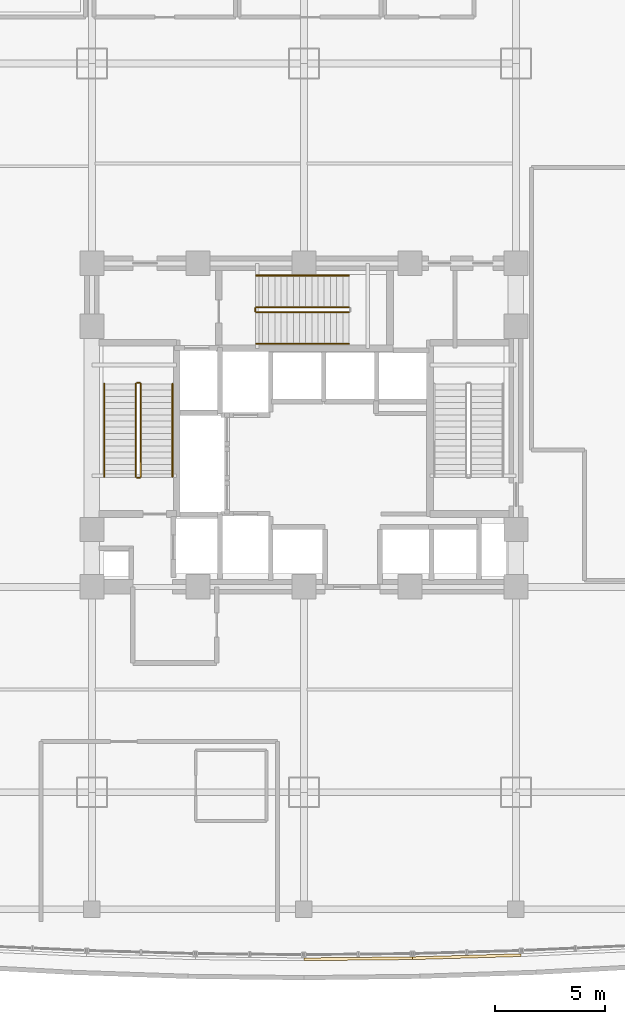
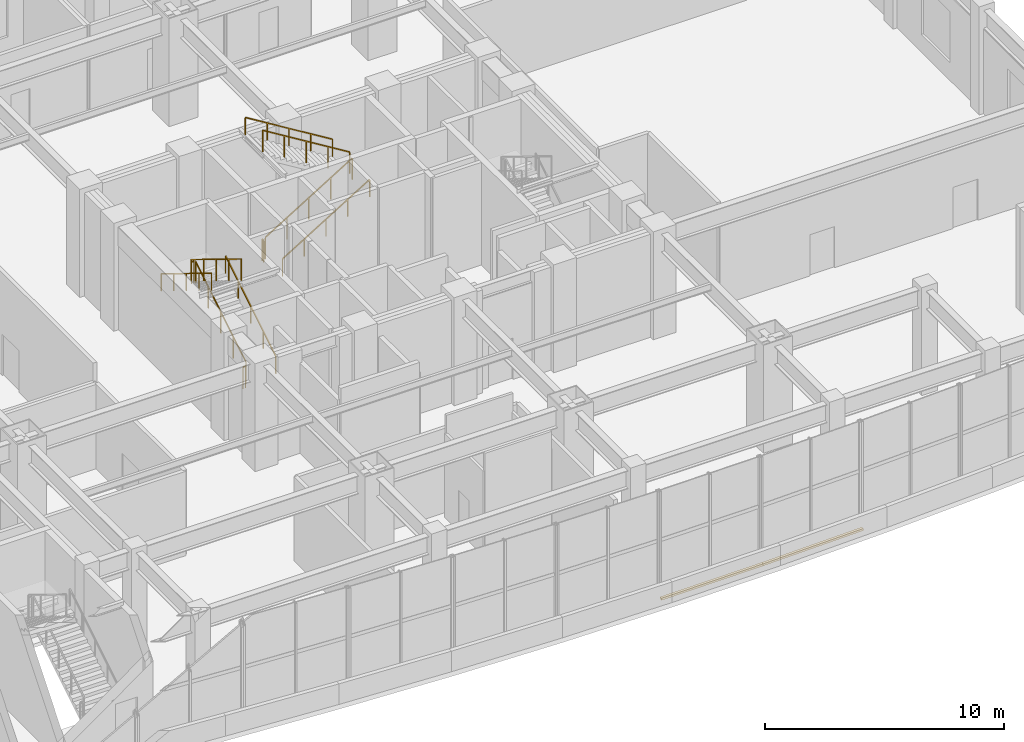
# One storey, part 18 of 24: 11 railings, 2 coverings.
"""IFC4 building model written with IfcOpenShell, lengths in metres."""

from ifc_helpers import new_model, si_unit, direction, frame, origin, origin_2d, place, context, subcontext, project, spatial, polyline, rectangle, outline, extrude, material, layer, layer_set, type_object, element, save


model = new_model("IFC4")

# Units and contexts
model_context = context("Model", 3, precision=1e-05, world=origin(), true_north=direction((0.0, 1.0)))
body_context = subcontext(model_context, "Body", "Model", "MODEL_VIEW")
ifc_project = project(units=[si_unit("LENGTHUNIT", "METRE"), si_unit("AREAUNIT", "SQUARE_METRE"), si_unit("VOLUMEUNIT", "CUBIC_METRE"), si_unit("PLANEANGLEUNIT", "RADIAN"), si_unit("MASSUNIT", "GRAM", prefix="KILO")], contexts=[model_context])

# Site, building, storey
site_placement = place(None, origin())
site = spatial("IfcSite", under=ifc_project, at=site_placement, CompositionType="ELEMENT")
building_placement = place(site_placement, origin())
building = spatial("IfcBuilding", under=site, at=building_placement, Name="Vantalir Tower", CompositionType="ELEMENT")
storey_placement = place(building_placement, frame((0.0, 0.0, 16.0)))
storey = spatial("IfcBuildingStorey", under=building, at=storey_placement, Name="L03", CompositionType="ELEMENT", Elevation=16.0)

# Coverings
ifc_material_1 = material(Name="Anodised champagne aluminium sill fascia", Category="aluminium")
ifc_layer = layer(ifc_material_1, 0.125)
ifc_layer_set = layer_set([ifc_layer], Name="Anodised champagne aluminium sill fascia")
covering_type = type_object("IfcCoveringType", Name="COV-SLAB-FASCIA-125", PredefinedType="CLADDING", material=ifc_layer_set)
covering_1_placement = place(storey_placement, frame((0.0, 0.0, -0.179931640625)))
element("IfcCovering", 1, at=covering_1_placement, inside=storey, type_object=covering_type, Name="L03 South Prow Slab-Edge Fascia 07", PredefinedType="CLADDING", context=body_context, shape_type="SweptSolid", body=[
    extrude(outline(polyline([(31.5, 1.0), (31.5009765625, 0.875), (36.41796875, 0.923095703125), (36.4169921875, 1.048095703125), (31.5, 1.0)])), origin(), (0.0, 0.0, 1.0), 0.10498046875),
])
covering_2_placement = place(storey_placement, frame((0.0, 0.0, -0.179931640625)))
element("IfcCovering", 2, at=covering_2_placement, inside=storey, type_object=covering_type, Name="L03 South Prow Slab-Edge Fascia 08", PredefinedType="CLADDING", context=body_context, shape_type="SweptSolid", body=[
    extrude(outline(polyline([(36.4169921875, 1.048095703125), (36.4208984375, 0.923095703125), (41.3369140625, 1.06298828125), (41.3330078125, 1.18798828125), (36.4169921875, 1.048095703125)])), origin(), (0.0, 0.0, 1.0), 0.10498046875),
])

# Railings
ifc_material_2 = material(Name="Anodised aluminium and stainless steel guard", Category="steel")
railing_type_1 = type_object("IfcRailingType", Name="RAL-GUARD-1120", PredefinedType="GUARDRAIL", material=ifc_material_2)
railing_1_placement = place(storey_placement, frame((24.110107421875, 22.7900390625, 0.171875)))
element("IfcRailing", 3, at=railing_1_placement, inside=storey, type_object=railing_type_1, Name="L03 ST1 stair guard 1", PredefinedType="GUARDRAIL", context=body_context, shape_type="SweptSolid", body=[
    extrude(rectangle(XDim=0.048095703125, YDim=0.048095703125, at=origin_2d()), frame((0.0, 0.0, 1.09619140625), z_axis=(0.0, 0.852242915053, 0.523146264196), x_axis=(-1.0, 0.0, 0.0)), (0.0, 0.0, 1.0), 4.92822265625),
    extrude(rectangle(XDim=0.0419921875, YDim=0.0419921875, at=origin_2d()), origin(), (0.0, 0.0, 1.0), 1.072021484375),
    extrude(rectangle(XDim=0.0419921875, YDim=0.0419921875, at=origin_2d()), frame((0.0, 1.050048828125, 0.64453125)), (0.0, 0.0, 1.0), 1.072021484375),
    extrude(rectangle(XDim=0.0419921875, YDim=0.0419921875, at=origin_2d()), frame((0.0, 2.10009765625, 1.2890625)), (0.0, 0.0, 1.0), 1.072021484375),
    extrude(rectangle(XDim=0.0419921875, YDim=0.0419921875, at=origin_2d()), frame((0.0, 3.14990234375, 1.93359375)), (0.0, 0.0, 1.0), 1.072021484375),
    extrude(rectangle(XDim=0.0419921875, YDim=0.0419921875, at=origin_2d()), frame((0.0, 4.199951171875, 2.578125)), (0.0, 0.0, 1.0), 1.072021484375),
])
railing_2_placement = place(storey_placement, frame((24.06005859375, 27.0400390625, 2.75)))
element("IfcRailing", 4, at=railing_2_placement, inside=storey, type_object=railing_type_1, Name="L03 ST1 stair guard 2", PredefinedType="GUARDRAIL", context=body_context, shape_type="SweptSolid", body=[
    extrude(rectangle(XDim=0.048095703125, YDim=0.048095703125, at=origin_2d()), frame((0.0, 0.0, 1.09619140625), z_axis=(-1.0, 0.0, 0.0), x_axis=(0.0, -1.0, 0.0)), (0.0, 0.0, 1.0), 0.1201171875),
    extrude(rectangle(XDim=0.0419921875, YDim=0.0419921875, at=origin_2d()), origin(), (0.0, 0.0, 1.0), 1.072021484375),
    extrude(rectangle(XDim=0.0419921875, YDim=0.0419921875, at=origin_2d()), frame((-0.1201171875, 0.0, 0.0)), (0.0, 0.0, 1.0), 1.072021484375),
])
railing_3_placement = place(storey_placement, frame((23.889892578125, 26.989990234375, 2.921875)))
element("IfcRailing", 5, at=railing_3_placement, inside=storey, type_object=railing_type_1, Name="L03 ST1 stair guard 3", PredefinedType="GUARDRAIL", context=body_context, shape_type="SweptSolid", body=[
    extrude(rectangle(XDim=0.048095703125, YDim=0.048095703125, at=origin_2d()), frame((0.0, 0.0, 1.09619140625), z_axis=(0.0, -0.852242915053, 0.523146264196), x_axis=(1.0, 0.0, 0.0)), (0.0, 0.0, 1.0), 4.92822265625),
    extrude(rectangle(XDim=0.0419921875, YDim=0.0419921875, at=origin_2d()), origin(), (0.0, 0.0, 1.0), 1.072021484375),
    extrude(rectangle(XDim=0.0419921875, YDim=0.0419921875, at=origin_2d()), frame((0.0, -1.050048828125, 0.64453125)), (0.0, 0.0, 1.0), 1.072021484375),
    extrude(rectangle(XDim=0.0419921875, YDim=0.0419921875, at=origin_2d()), frame((0.0, -2.10009765625, 1.2890625)), (0.0, 0.0, 1.0), 1.072021484375),
    extrude(rectangle(XDim=0.0419921875, YDim=0.0419921875, at=origin_2d()), frame((0.0, -3.14990234375, 1.93359375)), (0.0, 0.0, 1.0), 1.072021484375),
    extrude(rectangle(XDim=0.0419921875, YDim=0.0419921875, at=origin_2d()), frame((0.0, -4.199951171875, 2.578125)), (0.0, 0.0, 1.0), 1.072021484375),
])
railing_4_placement = place(storey_placement, frame((24.06005859375, 22.739990234375, 0.0)))
element("IfcRailing", 6, at=railing_4_placement, inside=storey, type_object=railing_type_1, Name="L03 ST1 stair guard 4", PredefinedType="GUARDRAIL", context=body_context, shape_type="SweptSolid", body=[
    extrude(rectangle(XDim=0.048095703125, YDim=0.048095703125, at=origin_2d()), frame((0.0, 0.0, 1.09619140625), z_axis=(-1.0, 0.0, 0.0), x_axis=(0.0, -1.0, 0.0)), (0.0, 0.0, 1.0), 0.1201171875),
    extrude(rectangle(XDim=0.0419921875, YDim=0.0419921875, at=origin_2d()), origin(), (0.0, 0.0, 1.0), 1.072021484375),
    extrude(rectangle(XDim=0.0419921875, YDim=0.0419921875, at=origin_2d()), frame((-0.1201171875, 0.0, 0.0)), (0.0, 0.0, 1.0), 1.072021484375),
])
railing_5_placement = place(storey_placement, frame((29.340087890625, 30.239990234375, 0.171875)))
element("IfcRailing", 7, at=railing_5_placement, inside=storey, type_object=railing_type_1, Name="L03 ST3 stair guard 1", PredefinedType="GUARDRAIL", context=body_context, shape_type="SweptSolid", body=[
    extrude(rectangle(XDim=0.048095703125, YDim=0.048095703125, at=origin_2d()), frame((0.0, 0.0, 1.09619140625), z_axis=(0.852242915053, 0.0, 0.523146264196), x_axis=(0.0, 1.0, 0.0)), (0.0, 0.0, 1.0), 4.92822265625),
    extrude(rectangle(XDim=0.0419921875, YDim=0.0419921875, at=origin_2d()), origin(), (0.0, 0.0, 1.0), 1.072021484375),
    extrude(rectangle(XDim=0.0419921875, YDim=0.0419921875, at=origin_2d()), frame((1.050048828125, 0.0, 0.64453125)), (0.0, 0.0, 1.0), 1.072021484375),
    extrude(rectangle(XDim=0.0419921875, YDim=0.0419921875, at=origin_2d()), frame((2.10009765625, 0.0, 1.2890625)), (0.0, 0.0, 1.0), 1.072021484375),
    extrude(rectangle(XDim=0.0419921875, YDim=0.0419921875, at=origin_2d()), frame((3.14990234375, 0.0, 1.93359375)), (0.0, 0.0, 1.0), 1.072021484375),
    extrude(rectangle(XDim=0.0419921875, YDim=0.0419921875, at=origin_2d()), frame((4.199951171875, 0.0, 2.578125)), (0.0, 0.0, 1.0), 1.072021484375),
])
railing_6_placement = place(storey_placement, frame((33.5400390625, 30.4599609375, 2.921875)))
element("IfcRailing", 8, at=railing_6_placement, inside=storey, type_object=railing_type_1, Name="L03 ST3 stair guard 3", PredefinedType="GUARDRAIL", context=body_context, shape_type="SweptSolid", body=[
    extrude(rectangle(XDim=0.048095703125, YDim=0.048095703125, at=origin_2d()), frame((0.0, 0.0, 1.09619140625), z_axis=(-0.852242915053, 0.0, 0.523146264196), x_axis=(0.0, -1.0, 0.0)), (0.0, 0.0, 1.0), 4.92822265625),
    extrude(rectangle(XDim=0.0419921875, YDim=0.0419921875, at=origin_2d()), origin(), (0.0, 0.0, 1.0), 1.072021484375),
    extrude(rectangle(XDim=0.0419921875, YDim=0.0419921875, at=origin_2d()), frame((-1.050048828125, 0.0, 0.64453125)), (0.0, 0.0, 1.0), 1.072021484375),
    extrude(rectangle(XDim=0.0419921875, YDim=0.0419921875, at=origin_2d()), frame((-2.10009765625, 0.0, 1.2890625)), (0.0, 0.0, 1.0), 1.072021484375),
    extrude(rectangle(XDim=0.0419921875, YDim=0.0419921875, at=origin_2d()), frame((-3.14990234375, 0.0, 1.93359375)), (0.0, 0.0, 1.0), 1.072021484375),
    extrude(rectangle(XDim=0.0419921875, YDim=0.0419921875, at=origin_2d()), frame((-4.199951171875, 0.0, 2.578125)), (0.0, 0.0, 1.0), 1.072021484375),
])
railing_7_placement = place(storey_placement, frame((29.2900390625, 30.2900390625, 0.0)))
element("IfcRailing", 9, at=railing_7_placement, inside=storey, type_object=railing_type_1, Name="L03 ST3 stair guard 4", PredefinedType="GUARDRAIL", context=body_context, shape_type="SweptSolid", body=[
    extrude(rectangle(XDim=0.048095703125, YDim=0.048095703125, at=origin_2d()), frame((0.0, 0.0, 1.09619140625), z_axis=(0.0, 1.0, 0.0), x_axis=(-1.0, 0.0, 0.0)), (0.0, 0.0, 1.0), 0.119873046875),
    extrude(rectangle(XDim=0.0419921875, YDim=0.0419921875, at=origin_2d()), origin(), (0.0, 0.0, 1.0), 1.072021484375),
    extrude(rectangle(XDim=0.0419921875, YDim=0.0419921875, at=origin_2d()), frame((0.0, 0.119873046875, 0.0)), (0.0, 0.0, 1.0), 1.072021484375),
])
ifc_material_3 = material(Name="Brushed stainless steel tubular handrail", Category="steel")
railing_type_2 = type_object("IfcRailingType", Name="RAL-HANDRAIL-900", PredefinedType="HANDRAIL", material=ifc_material_3)
railing_8_placement = place(storey_placement, frame((25.550048828125, 22.7900390625, 0.171875)))
element("IfcRailing", 10, at=railing_8_placement, inside=storey, type_object=railing_type_2, Name="L03 ST1 stair handrail 1", PredefinedType="HANDRAIL", context=body_context, shape_type="SweptSolid", body=[
    extrude(rectangle(XDim=0.048095703125, YDim=0.048095703125, at=origin_2d()), frame((0.0, 0.0, 0.8759765625), z_axis=(0.0, 0.852242915053, 0.523146264196), x_axis=(-1.0, 0.0, 0.0)), (0.0, 0.0, 1.0), 4.92822265625),
    extrude(rectangle(XDim=0.0419921875, YDim=0.0419921875, at=origin_2d()), origin(), (0.0, 0.0, 1.0), 0.851806640625),
    extrude(rectangle(XDim=0.0419921875, YDim=0.0419921875, at=origin_2d()), frame((0.0, 1.050048828125, 0.64453125)), (0.0, 0.0, 1.0), 0.851806640625),
    extrude(rectangle(XDim=0.0419921875, YDim=0.0419921875, at=origin_2d()), frame((0.0, 2.10009765625, 1.2890625)), (0.0, 0.0, 1.0), 0.851806640625),
    extrude(rectangle(XDim=0.0419921875, YDim=0.0419921875, at=origin_2d()), frame((0.0, 3.14990234375, 1.93359375)), (0.0, 0.0, 1.0), 0.851806640625),
    extrude(rectangle(XDim=0.0419921875, YDim=0.0419921875, at=origin_2d()), frame((0.0, 4.199951171875, 2.578125)), (0.0, 0.0, 1.0), 0.851806640625),
])
railing_9_placement = place(storey_placement, frame((22.449951171875, 26.989990234375, 2.921875)))
element("IfcRailing", 11, at=railing_9_placement, inside=storey, type_object=railing_type_2, Name="L03 ST1 stair handrail 2", PredefinedType="HANDRAIL", context=body_context, shape_type="SweptSolid", body=[
    extrude(rectangle(XDim=0.048095703125, YDim=0.048095703125, at=origin_2d()), frame((0.0, 0.0, 0.8759765625), z_axis=(0.0, -0.852242915053, 0.523146264196), x_axis=(1.0, 0.0, 0.0)), (0.0, 0.0, 1.0), 4.92822265625),
    extrude(rectangle(XDim=0.0419921875, YDim=0.0419921875, at=origin_2d()), origin(), (0.0, 0.0, 1.0), 0.851806640625),
    extrude(rectangle(XDim=0.0419921875, YDim=0.0419921875, at=origin_2d()), frame((0.0, -1.050048828125, 0.64453125)), (0.0, 0.0, 1.0), 0.851806640625),
    extrude(rectangle(XDim=0.0419921875, YDim=0.0419921875, at=origin_2d()), frame((0.0, -2.10009765625, 1.2890625)), (0.0, 0.0, 1.0), 0.851806640625),
    extrude(rectangle(XDim=0.0419921875, YDim=0.0419921875, at=origin_2d()), frame((0.0, -3.14990234375, 1.93359375)), (0.0, 0.0, 1.0), 0.851806640625),
    extrude(rectangle(XDim=0.0419921875, YDim=0.0419921875, at=origin_2d()), frame((0.0, -4.199951171875, 2.578125)), (0.0, 0.0, 1.0), 0.851806640625),
])
railing_10_placement = place(storey_placement, frame((29.340087890625, 28.800048828125, 0.171875)))
element("IfcRailing", 12, at=railing_10_placement, inside=storey, type_object=railing_type_2, Name="L03 ST3 stair handrail 1", PredefinedType="HANDRAIL", context=body_context, shape_type="SweptSolid", body=[
    extrude(rectangle(XDim=0.048095703125, YDim=0.048095703125, at=origin_2d()), frame((0.0, 0.0, 0.8759765625), z_axis=(0.852242915053, 0.0, 0.523146264196), x_axis=(0.0, 1.0, 0.0)), (0.0, 0.0, 1.0), 4.92822265625),
    extrude(rectangle(XDim=0.0419921875, YDim=0.0419921875, at=origin_2d()), origin(), (0.0, 0.0, 1.0), 0.851806640625),
    extrude(rectangle(XDim=0.0419921875, YDim=0.0419921875, at=origin_2d()), frame((1.050048828125, 0.0, 0.64453125)), (0.0, 0.0, 1.0), 0.851806640625),
    extrude(rectangle(XDim=0.0419921875, YDim=0.0419921875, at=origin_2d()), frame((2.10009765625, 0.0, 1.2890625)), (0.0, 0.0, 1.0), 0.851806640625),
    extrude(rectangle(XDim=0.0419921875, YDim=0.0419921875, at=origin_2d()), frame((3.14990234375, 0.0, 1.93359375)), (0.0, 0.0, 1.0), 0.851806640625),
    extrude(rectangle(XDim=0.0419921875, YDim=0.0419921875, at=origin_2d()), frame((4.199951171875, 0.0, 2.578125)), (0.0, 0.0, 1.0), 0.851806640625),
])
railing_11_placement = place(storey_placement, frame((33.5400390625, 31.89990234375, 2.921875)))
element("IfcRailing", 13, at=railing_11_placement, inside=storey, type_object=railing_type_2, Name="L03 ST3 stair handrail 2", PredefinedType="HANDRAIL", context=body_context, shape_type="SweptSolid", body=[
    extrude(rectangle(XDim=0.048095703125, YDim=0.048095703125, at=origin_2d()), frame((0.0, 0.0, 0.8759765625), z_axis=(-0.852242915053, 0.0, 0.523146264196), x_axis=(0.0, -1.0, 0.0)), (0.0, 0.0, 1.0), 4.92822265625),
    extrude(rectangle(XDim=0.0419921875, YDim=0.0419921875, at=origin_2d()), origin(), (0.0, 0.0, 1.0), 0.851806640625),
    extrude(rectangle(XDim=0.0419921875, YDim=0.0419921875, at=origin_2d()), frame((-1.050048828125, 0.0, 0.64453125)), (0.0, 0.0, 1.0), 0.851806640625),
    extrude(rectangle(XDim=0.0419921875, YDim=0.0419921875, at=origin_2d()), frame((-2.10009765625, 0.0, 1.2890625)), (0.0, 0.0, 1.0), 0.851806640625),
    extrude(rectangle(XDim=0.0419921875, YDim=0.0419921875, at=origin_2d()), frame((-3.14990234375, 0.0, 1.93359375)), (0.0, 0.0, 1.0), 0.851806640625),
    extrude(rectangle(XDim=0.0419921875, YDim=0.0419921875, at=origin_2d()), frame((-4.199951171875, 0.0, 2.578125)), (0.0, 0.0, 1.0), 0.851806640625),
])

save(model, "model.ifc")
